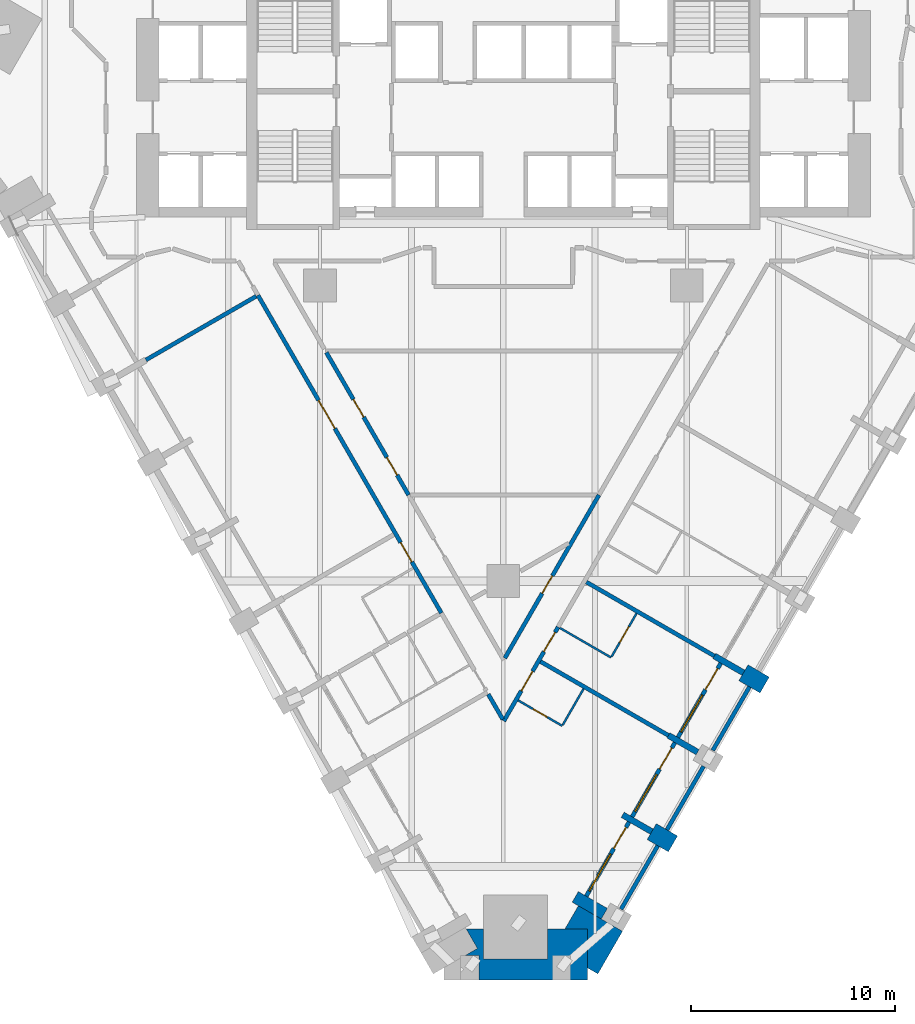
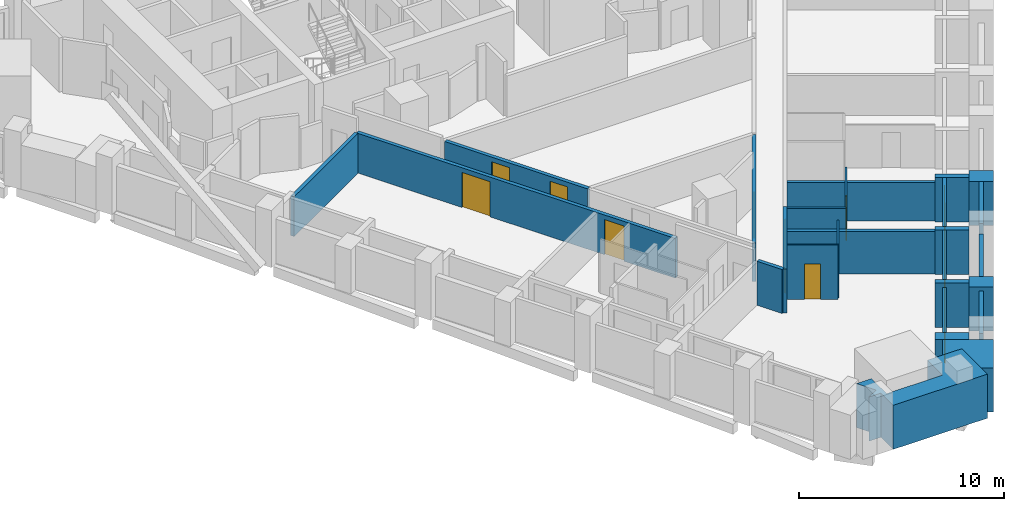
# One storey, part 4 of 11: 26 walls, 12 doors, 3 windows, 15 openings.
"""IFC4 building model written with IfcOpenShell, lengths in metres."""

from ifc_helpers import new_model, si_unit, direction, frame, frame_2d, origin, place, context, subcontext, project, spatial, polyline, rectangle, outline, extrude, material, layer, layer_set, type_object, element, fill, save


model = new_model("IFC4")

# Units and contexts
model_context = context("Model", 3, precision=1e-05, world=origin(), true_north=direction((0.0, 1.0)))
body_context = subcontext(model_context, "Body", "Model", "MODEL_VIEW")
ifc_project = project(units=[si_unit("LENGTHUNIT", "METRE"), si_unit("AREAUNIT", "SQUARE_METRE"), si_unit("VOLUMEUNIT", "CUBIC_METRE"), si_unit("PLANEANGLEUNIT", "RADIAN"), si_unit("MASSUNIT", "GRAM", prefix="KILO")], contexts=[model_context])

# Site, building, storey
site_placement = place(None, origin())
site = spatial("IfcSite", under=ifc_project, at=site_placement, CompositionType="ELEMENT")
building_placement = place(site_placement, origin())
building = spatial("IfcBuilding", under=site, at=building_placement, Name="Calabash Gate Tower", CompositionType="ELEMENT")
storey_placement = place(building_placement, frame((0.0, 0.0, 73.199951171875)))
storey = spatial("IfcBuildingStorey", under=building, at=storey_placement, Name="L14", CompositionType="ELEMENT", Elevation=73.199951171875)

# Walls
ifc_material_1 = material(Name="Terracotta brick masonry, exposed face", Category="masonry")
ifc_layer_1 = layer(ifc_material_1, 2.5)
ifc_layer_set_1 = layer_set([ifc_layer_1], Name="Brick corner mass wall 2500")
wall_type_1 = type_object("IfcWallType", Name="Brick corner mass wall 2500", PredefinedType="SOLIDWALL", material=ifc_layer_set_1)
wall_1_placement = place(storey_placement, origin())
element("IfcWall", 1, at=wall_1_placement, inside=storey, type_object=wall_type_1, Name="Brick corner pier S03 2bb", PredefinedType="SOLIDWALL", context=body_context, shape_type="SweptSolid", body=[
    extrude(outline(polyline([(-1.202880859375, -30.376953125), (-1.202880859375, -31.576904296875), (4.115478515625, -31.576904296875), (4.115478515625, -29.076904296875), (2.172119140625, -29.076904296875), (2.172119140625, -30.548095703125), (-0.97802734375, -30.548095703125), (-0.97802734375, -29.076904296875), (-1.8251953125, -29.076904296875), (-1.276611328125, -30.027099609375), (-1.8828125, -30.376953125), (-1.202880859375, -30.376953125)])), origin(), (0.0, 0.0, 1.0), 2.630126953125),
])
wall_2_placement = place(storey_placement, origin())
element("IfcWall", 2, at=wall_2_placement, inside=storey, type_object=wall_type_1, Name="Brick corner pier S03 2c", PredefinedType="SOLIDWALL", context=body_context, shape_type="SweptSolid", body=[
    extrude(outline(polyline([(5.843017578125, -29.184814453125), (3.677978515625, -27.934814453125), (3.0185546875, -29.076904296875), (4.115478515625, -29.076904296875), (4.115478515625, -30.97705078125), (4.635009765625, -31.277099609375), (5.843017578125, -29.184814453125)])), origin(), (0.0, 0.0, 1.0), 2.630126953125),
])
ifc_material_2 = material(Name="Terracotta brick masonry, exposed face", Category="masonry")
ifc_layer_2 = layer(ifc_material_2, 1.199951171875)
ifc_layer_set_2 = layer_set([ifc_layer_2], Name="Brick end wall 1200")
wall_type_2 = type_object("IfcWallType", Name="Brick end wall 1200", PredefinedType="SOLIDWALL", material=ifc_layer_set_2)
for number, where, z_axis, x_axis, name in (
    (3, (7.27880859375, -24.298095703125, 0.0), (0.0, 0.0, 1.0), (0.866043267704, -0.499969057507, 0.0), "Brick pier S03 SE2.1"),
    (4, (12.81787109375, -17.103759765625, 0.0), (0.0, 0.0, 1.0), (-0.866043267704, 0.499969057507, 0.0), "Brick pier S03 SE2.3"),
):
    element("IfcWall", number, at=place(storey_placement, frame(where, z_axis=z_axis, x_axis=x_axis)), inside=storey, type_object=wall_type_2, Name=name, PredefinedType="SOLIDWALL", context=body_context, shape_type="SweptSolid", body=[
        extrude(rectangle(XDim=1.19970703125, YDim=0.89990234375, at=frame_2d((0.599853515625, 0.0))), origin(), (0.0, 0.0, 1.0), 2.630126953125),
    ])
ifc_material_3 = material(Name="Terracotta brick masonry, exposed face", Category="masonry")
ifc_layer_3 = layer(ifc_material_3, 0.300048828125)
ifc_layer_set_3 = layer_set([ifc_layer_3], Name="Brick loggia cheek wall 300")
wall_type_3 = type_object("IfcWallType", Name="Brick loggia cheek wall 300", PredefinedType="SOLIDWALL", material=ifc_layer_set_3)
wall_3_placement = place(storey_placement, frame((4.95361328125, -28.324951171875, 0.0), z_axis=(0.0, 0.0, 1.0), x_axis=(-0.866040211805, 0.499974350878, 0.0)))
element("IfcWall", 5, at=wall_3_placement, inside=storey, type_object=wall_type_3, Name="Loggia cheek S03 SE2.0", PredefinedType="SOLIDWALL", context=body_context, shape_type="SweptSolid", body=[
    extrude(rectangle(XDim=1.64990234375, YDim=0.60009765625, at=frame_2d((0.824951171875, 0.0))), origin(), (0.0, 0.0, 1.0), 2.650146484375),
])
wall_4_placement = place(storey_placement, frame((7.27880859375, -24.298095703125, 0.0), z_axis=(0.0, 0.0, 1.0), x_axis=(-0.866040211805, 0.499974350878, 0.0)))
element("IfcWall", 6, at=wall_4_placement, inside=storey, type_object=wall_type_3, Name="Loggia cheek S03 SE2.1", PredefinedType="SOLIDWALL", context=body_context, shape_type="SweptSolid", body=[
    extrude(rectangle(XDim=1.64990234375, YDim=0.300048828125, at=frame_2d((0.824951171875, 0.0))), origin(), (0.0, 0.0, 1.0), 2.650146484375),
])
wall_5_placement = place(storey_placement, frame((9.528564453125, -20.40087890625, 0.0), z_axis=(0.0, 0.0, 1.0), x_axis=(-0.866003217194, 0.500038426333, 0.0)))
element("IfcWall", 7, at=wall_5_placement, inside=storey, type_object=wall_type_3, Name="Loggia cheek S03 SE2.2", PredefinedType="SOLIDWALL", context=body_context, shape_type="SweptSolid", body=[
    extrude(rectangle(XDim=1.649658203125, YDim=0.300048828125, at=frame_2d((0.82470703125, 0.0))), origin(), (0.0, 0.0, 1.0), 2.650146484375),
])
wall_6_placement = place(storey_placement, frame((11.77880859375, -16.50390625, 0.0), z_axis=(0.0, 0.0, 1.0), x_axis=(-0.865976140824, 0.500085316245, 0.0)))
element("IfcWall", 8, at=wall_6_placement, inside=storey, type_object=wall_type_3, Name="Loggia cheek S03 SE2.3", PredefinedType="SOLIDWALL", context=body_context, shape_type="SweptSolid", body=[
    extrude(rectangle(XDim=1.650146484375, YDim=0.300048828125, at=frame_2d((0.8251953125, 0.0))), origin(), (0.0, 0.0, 1.0), 2.650146484375),
])
ifc_material_4 = material(Name="Gypsum board on steel studs, mineral wool", Category="steel")
ifc_layer_4 = layer(ifc_material_4, 0.10009765625)
ifc_layer_set_4 = layer_set([ifc_layer_4], Name="Partition 100 gypsum board")
wall_type_4 = type_object("IfcWallType", Name="Partition 100 gypsum board", PredefinedType="PARTITIONING", material=ifc_layer_set_4)
wall_7_placement = place(storey_placement, frame((2.911376953125, -19.0634765625, 0.0), z_axis=(0.0, 0.0, 1.0), x_axis=(0.499265284884, 0.866449176415, 0.0)))
element("IfcWall", 9, at=wall_7_placement, inside=storey, type_object=wall_type_4, Name="Partition", PredefinedType="PARTITIONING", context=body_context, shape_type="SweptSolid", body=[
    extrude(rectangle(XDim=2.0498046875, YDim=0.10009765625, at=frame_2d((1.02490234375, 0.0))), origin(), (0.0, 0.0, 1.0), 3.22998046875),
])

# Wall, opening, door
wall_8_placement = place(storey_placement, frame((0.72119140625, -17.85693359375, 0.0), z_axis=(0.0, 0.0, 1.0), x_axis=(0.866022959057, -0.500004234368, 0.0)))
wall_8 = element("IfcWall", 10, at=wall_8_placement, inside=storey, type_object=wall_type_4, Name="Partition", PredefinedType="PARTITIONING", context=body_context, shape_type="SweptSolid", body=[
    extrude(rectangle(XDim=2.5, YDim=0.10009765625, at=frame_2d((1.25, 0.0))), origin(), (0.0, 0.0, 1.0), 3.22998046875),
])
opening_1_placement = place(wall_8_placement, frame((0.85009765625, 0.0, 0.0)))
opening_1 = element("IfcOpeningElement", 11, at=opening_1_placement, cuts=wall_8, Name="Opening 12-14-014", PredefinedType="OPENING", context=body_context, shape_type="SweptSolid", body=[
    extrude(rectangle(XDim=0.800048828125, YDim=2.10009765625, at=frame_2d((0.39990234375, 1.050048828125))), frame((0.0, 0.06005859375, 0.0), z_axis=(0.0, -1.0, 0.0), x_axis=(1.0, 0.0, 0.0)), (0.0, 0.0, 1.0), 0.1201171875),
])
ifc_material_5 = material(Name="Painted timber door", Category="wood")
door_type_1 = type_object("IfcDoorType", Name="GD5 En-suite door 800x2100", OperationType="NOTDEFINED", PredefinedType="DOOR", material=ifc_material_5)
door_1_placement = place(opening_1_placement, origin())
door_1 = element("IfcDoor", 12, at=door_1_placement, inside=storey, type_object=door_type_1, Name="En-suite door", OperationType="SINGLE_SWING_LEFT", OverallHeight=2.10009765625, OverallWidth=0.800048828125, PredefinedType="DOOR", context=body_context, shape_type="SweptSolid", body=[
    extrude(rectangle(XDim=0.800048828125, YDim=2.10009765625, at=frame_2d((0.39990234375, 1.050048828125))), frame((0.0, 0.02490234375, 0.0), z_axis=(0.0, -1.0, 0.0), x_axis=(1.0, 0.0, 0.0)), (0.0, 0.0, 1.0), 0.050048828125),
])
fill(opening_1, door_1)

wall_9_placement = place(storey_placement, frame((5.3076171875, -15.712158203125, 0.0), z_axis=(0.0, 0.0, 1.0), x_axis=(0.500018594424, 0.866014668023, 0.0)))
wall_9 = element("IfcWall", 13, at=wall_9_placement, inside=storey, type_object=wall_type_4, Name="Partition", PredefinedType="PARTITIONING", context=body_context, shape_type="SweptSolid", body=[
    extrude(rectangle(XDim=2.4501953125, YDim=0.10009765625, at=frame_2d((1.22509765625, 0.0))), origin(), (0.0, 0.0, 1.0), 3.22998046875),
])
opening_2_placement = place(wall_9_placement, frame((0.800048828125, 0.0, 0.0)))
opening_2 = element("IfcOpeningElement", 14, at=opening_2_placement, cuts=wall_9, Name="Opening 12-14-005", PredefinedType="OPENING", context=body_context, shape_type="SweptSolid", body=[
    extrude(rectangle(XDim=0.89990234375, YDim=2.10009765625, at=frame_2d((0.449951171875, 1.050048828125))), frame((0.0, 0.06005859375, 0.0), z_axis=(0.0, -1.0, 0.0), x_axis=(1.0, 0.0, 0.0)), (0.0, 0.0, 1.0), 0.1201171875),
])
ifc_material_6 = material(Name="Painted timber door", Category="wood")
door_type_2 = type_object("IfcDoorType", Name="GD6 Accessible en-suite door 900x2100", OperationType="NOTDEFINED", PredefinedType="DOOR", material=ifc_material_6)
door_2_placement = place(opening_2_placement, origin())
door_2 = element("IfcDoor", 15, at=door_2_placement, inside=storey, type_object=door_type_2, Name="Accessible en-suite door", OperationType="SINGLE_SWING_LEFT", OverallHeight=2.10009765625, OverallWidth=0.89990234375, PredefinedType="DOOR", context=body_context, shape_type="SweptSolid", body=[
    extrude(rectangle(XDim=0.89990234375, YDim=2.10009765625, at=frame_2d((0.449951171875, 1.050048828125))), frame((0.0, 0.02490234375, 0.0), z_axis=(0.0, -1.0, 0.0), x_axis=(1.0, 0.0, 0.0)), (0.0, 0.0, 1.0), 0.050048828125),
])
fill(opening_2, door_2)

# Wall
wall_10_placement = place(storey_placement, frame((2.772216796875, -14.30419921875, 0.0), z_axis=(0.0, 0.0, 1.0), x_axis=(0.865729701078, -0.500511822708, 0.0)))
element("IfcWall", 16, at=wall_10_placement, inside=storey, type_object=wall_type_4, Name="Partition", PredefinedType="PARTITIONING", context=body_context, shape_type="SweptSolid", body=[
    extrude(rectangle(XDim=2.89990234375, YDim=0.10009765625, at=frame_2d((1.449951171875, 0.0))), origin(), (0.0, 0.0, 1.0), 2.552001953125),
])

# Wall, openings, doors
ifc_material_7 = material(Name="Gypsum board on steel studs, mineral wool", Category="steel")
ifc_layer_5 = layer(ifc_material_7, 0.199951171875)
ifc_layer_set_5 = layer_set([ifc_layer_5], Name="Partition 200 gypsum board EI 60")
wall_type_5 = type_object("IfcWallType", Name="Partition 200 gypsum board EI 60", PredefinedType="PARTITIONING", material=ifc_layer_set_5)
wall_11_placement = place(storey_placement, frame((0.01953125, -18.8720703125, 0.0), z_axis=(0.0, 0.0, 1.0), x_axis=(0.500389767685, 0.865800254329, 0.0)))
wall_11 = element("IfcWall", 17, at=wall_11_placement, inside=storey, type_object=wall_type_5, Name="Partition", PredefinedType="PARTITIONING", context=body_context, shape_type="SweptSolid", body=[
    extrude(rectangle(XDim=5.330322265625, YDim=0.199951171875, at=frame_2d((2.6650390625, 0.0))), origin(), (0.0, 0.0, 1.0), 2.6279296875),
])
opening_3_placement = place(wall_11_placement, frame((3.9306640625, 0.0, 0.0)))
opening_3 = element("IfcOpeningElement", 18, at=opening_3_placement, cuts=wall_11, Name="Opening 12-14-004", PredefinedType="OPENING", context=body_context, shape_type="SweptSolid", body=[
    extrude(rectangle(XDim=1.10009765625, YDim=2.10009765625, at=frame_2d((0.550048828125, 1.050048828125))), frame((0.0, 0.10986328125, 0.0), z_axis=(0.0, -1.0, 0.0), x_axis=(1.0, 0.0, 0.0)), (0.0, 0.0, 1.0), 0.219970703125),
])
opening_4_placement = place(wall_11_placement, frame((1.715087890625, 0.0, 0.0)))
opening_4 = element("IfcOpeningElement", 19, at=opening_4_placement, cuts=wall_11, Name="Opening 12-14-024", PredefinedType="OPENING", context=body_context, shape_type="SweptSolid", body=[
    extrude(rectangle(XDim=1.10009765625, YDim=2.10009765625, at=frame_2d((0.550048828125, 1.050048828125))), frame((0.0, 0.10986328125, 0.0), z_axis=(0.0, -1.0, 0.0), x_axis=(1.0, 0.0, 0.0)), (0.0, 0.0, 1.0), 0.219970703125),
])
ifc_material_8 = material(Name="Steel fire door set with fire-resisting glazing", Category="steel")
door_type_3 = type_object("IfcDoorType", Name="GD2 Accessible guest room entrance door 1100x2100", OperationType="NOTDEFINED", PredefinedType="DOOR", material=ifc_material_8)
door_3_placement = place(opening_3_placement, origin())
door_3 = element("IfcDoor", 20, at=door_3_placement, inside=storey, type_object=door_type_3, Name="Accessible guest room entrance door", OperationType="SINGLE_SWING_RIGHT", OverallHeight=2.10009765625, OverallWidth=1.10009765625, PredefinedType="DOOR", context=body_context, shape_type="SweptSolid", body=[
    extrude(rectangle(XDim=1.10009765625, YDim=2.10009765625, at=frame_2d((0.550048828125, 1.050048828125))), frame((0.0, 0.02490234375, 0.0), z_axis=(0.0, -1.0, 0.0), x_axis=(1.0, 0.0, 0.0)), (0.0, 0.0, 1.0), 0.050048828125),
])
fill(opening_3, door_3)
ifc_material_9 = material(Name="Steel fire door set with fire-resisting glazing", Category="steel")
door_type_4 = type_object("IfcDoorType", Name="GD3 Suite entrance door 1100x2100", OperationType="NOTDEFINED", PredefinedType="DOOR", material=ifc_material_9)
door_4_placement = place(opening_4_placement, origin())
door_4 = element("IfcDoor", 21, at=door_4_placement, inside=storey, type_object=door_type_4, Name="Suite entrance door", OperationType="SINGLE_SWING_RIGHT", OverallHeight=2.10009765625, OverallWidth=1.10009765625, PredefinedType="DOOR", context=body_context, shape_type="SweptSolid", body=[
    extrude(rectangle(XDim=1.10009765625, YDim=2.10009765625, at=frame_2d((0.550048828125, 1.050048828125))), frame((0.0, 0.02490234375, 0.0), z_axis=(0.0, -1.0, 0.0), x_axis=(1.0, 0.0, 0.0)), (0.0, 0.0, 1.0), 0.050048828125),
])
fill(opening_4, door_4)

# Walls
wall_12_placement = place(storey_placement, frame((-0.742919921875, -17.55517578125, 0.0), z_axis=(0.0, 0.0, 1.0), x_axis=(0.501049807784, -0.865418447989, 0.0)))
element("IfcWall", 22, at=wall_12_placement, inside=storey, type_object=wall_type_5, Name="Partition", PredefinedType="PARTITIONING", context=body_context, shape_type="SweptSolid", body=[
    extrude(rectangle(XDim=1.421875, YDim=0.199951171875, at=frame_2d((0.7109375, 0.0))), origin(), (0.0, 0.0, 1.0), 2.6279296875),
])
wall_13_placement = place(storey_placement, frame((1.82177734375, -15.95361328125, 0.0), z_axis=(0.0, 0.0, 1.0), x_axis=(0.866029090493, -0.499993614378, 0.0)))
element("IfcWall", 23, at=wall_13_placement, inside=storey, type_object=wall_type_5, Name="Partition", PredefinedType="PARTITIONING", context=body_context, shape_type="SweptSolid", body=[
    extrude(rectangle(XDim=7.248046875, YDim=0.199951171875, at=frame_2d((3.6240234375, 0.0))), origin(), (0.0, 0.0, 1.0), 2.552001953125),
])

# Wall, opening, door
wall_14_placement = place(storey_placement, frame((0.0693359375, -15.78466796875, 0.0), z_axis=(0.0, 0.0, 1.0), x_axis=(0.499998459685, 0.866026293084, 0.0)))
wall_14 = element("IfcWall", 24, at=wall_14_placement, inside=storey, type_object=wall_type_5, Name="Partition", PredefinedType="PARTITIONING", context=body_context, shape_type="SweptSolid", body=[
    extrude(rectangle(XDim=9.2392578125, YDim=0.199951171875, at=frame_2d((4.61962890625, 0.0))), origin(), (0.0, 0.0, 1.0), 2.302490234375),
])
opening_5_placement = place(wall_14_placement, frame((3.6630859375, 0.0, 0.0)))
opening_5 = element("IfcOpeningElement", 25, at=opening_5_placement, cuts=wall_14, Name="Opening 12-14-012", PredefinedType="OPENING", context=body_context, shape_type="SweptSolid", body=[
    extrude(rectangle(XDim=1.0, YDim=2.10009765625, at=frame_2d((0.5, 1.050048828125))), frame((0.0, 0.10986328125, 0.0), z_axis=(0.0, -1.0, 0.0), x_axis=(1.0, 0.0, 0.0)), (0.0, 0.0, 1.0), 0.219970703125),
])
ifc_material_10 = material(Name="Steel fire door set with fire-resisting glazing", Category="steel")
door_type_5 = type_object("IfcDoorType", Name="LD2 Meeting room door 1000x2100", OperationType="NOTDEFINED", PredefinedType="DOOR", material=ifc_material_10)
door_5_placement = place(opening_5_placement, origin())
door_5 = element("IfcDoor", 26, at=door_5_placement, inside=storey, type_object=door_type_5, Name="Meeting room door", OperationType="SINGLE_SWING_LEFT", OverallHeight=2.10009765625, OverallWidth=1.0, PredefinedType="DOOR", context=body_context, shape_type="SweptSolid", body=[
    extrude(rectangle(XDim=1.0, YDim=2.10009765625, at=frame_2d((0.5, 1.050048828125))), frame((0.0, 0.02490234375, 0.0), z_axis=(0.0, -1.0, 0.0), x_axis=(1.0, 0.0, 0.0)), (0.0, 0.0, 1.0), 0.050048828125),
])
fill(opening_5, door_5)

# Wall, openings, doors
wall_15_placement = place(storey_placement, frame((-12.043212890625, 2.017333984375, 0.0), z_axis=(0.0, 0.0, 1.0), x_axis=(0.5000018851, -0.866024315419, 0.0)))
wall_15 = element("IfcWall", 27, at=wall_15_placement, inside=storey, type_object=wall_type_5, Name="Partition", PredefinedType="PARTITIONING", context=body_context, shape_type="SweptSolid", body=[
    extrude(rectangle(XDim=18.0, YDim=0.199951171875, at=frame_2d((9.0, 0.0))), origin(), (0.0, 0.0, 1.0), 2.3740234375),
])
opening_6_placement = place(wall_15_placement, frame((5.949951171875, 0.0, 0.0)))
opening_6 = element("IfcOpeningElement", 28, at=opening_6_placement, cuts=wall_15, Name="Opening 12-14-001", PredefinedType="OPENING", context=body_context, shape_type="SweptSolid", body=[
    extrude(rectangle(XDim=1.60009765625, YDim=2.10009765625, at=frame_2d((0.800048828125, 1.050048828125))), frame((0.0, 0.10986328125, 0.0), z_axis=(0.0, -1.0, 0.0), x_axis=(1.0, 0.0, 0.0)), (0.0, 0.0, 1.0), 0.219970703125),
])
opening_7_placement = place(wall_15_placement, frame((14.0, 0.0, 0.0)))
opening_7 = element("IfcOpeningElement", 29, at=opening_7_placement, cuts=wall_15, Name="Opening 12-14-002", PredefinedType="OPENING", context=body_context, shape_type="SweptSolid", body=[
    extrude(rectangle(XDim=1.10009765625, YDim=2.10009765625, at=frame_2d((0.550048828125, 1.050048828125))), frame((0.0, 0.10986328125, 0.0), z_axis=(0.0, -1.0, 0.0), x_axis=(1.0, 0.0, 0.0)), (0.0, 0.0, 1.0), 0.219970703125),
])
door_6_placement = place(opening_7_placement, origin())
door_6 = element("IfcDoor", 30, at=door_6_placement, inside=storey, type_object=door_type_3, Name="Accessible guest room entrance door", OperationType="SINGLE_SWING_RIGHT", OverallHeight=2.10009765625, OverallWidth=1.10009765625, PredefinedType="DOOR", context=body_context, shape_type="SweptSolid", body=[
    extrude(rectangle(XDim=1.10009765625, YDim=2.10009765625, at=frame_2d((0.550048828125, 1.050048828125))), frame((0.0, 0.02490234375, 0.0), z_axis=(0.0, -1.0, 0.0), x_axis=(1.0, 0.0, 0.0)), (0.0, 0.0, 1.0), 0.050048828125),
])
fill(opening_7, door_6)
ifc_material_11 = material(Name="Steel fire door set with fire-resisting glazing", Category="steel")
door_type_6 = type_object("IfcDoorType", Name="LD1 Lounge double door 1600x2100", OperationType="NOTDEFINED", PredefinedType="DOOR", material=ifc_material_11)
door_7_placement = place(opening_6_placement, origin())
door_7 = element("IfcDoor", 31, at=door_7_placement, inside=storey, type_object=door_type_6, Name="Lounge double door", OperationType="DOUBLE_DOOR_SINGLE_SWING", OverallHeight=2.10009765625, OverallWidth=1.60009765625, PredefinedType="DOOR", context=body_context, shape_type="SweptSolid", body=[
    extrude(rectangle(XDim=1.60009765625, YDim=2.10009765625, at=frame_2d((0.800048828125, 1.050048828125))), frame((0.0, 0.02490234375, 0.0), z_axis=(0.0, -1.0, 0.0), x_axis=(1.0, 0.0, 0.0)), (0.0, 0.0, 1.0), 0.050048828125),
])
fill(opening_6, door_7)

# Walls
wall_16_placement = place(storey_placement, frame((4.072265625, -12.05224609375, 0.0), z_axis=(0.0, 0.0, 1.0), x_axis=(0.865900080757, -0.500217003055, 0.0)))
element("IfcWall", 32, at=wall_16_placement, inside=storey, type_object=wall_type_5, Name="Partition", PredefinedType="PARTITIONING", context=body_context, shape_type="SweptSolid", body=[
    extrude(rectangle(XDim=7.249755859375, YDim=0.199951171875, at=frame_2d((3.625, 0.0))), origin(), (0.0, 0.0, 1.0), 2.302490234375),
])
wall_17_placement = place(storey_placement, frame((-17.541015625, -1.15625, 0.0), z_axis=(0.0, 0.0, 1.0), x_axis=(0.865906436394, 0.500206000974, 0.0)))
element("IfcWall", 33, at=wall_17_placement, inside=storey, type_object=wall_type_5, Name="Partition", PredefinedType="PARTITIONING", context=body_context, shape_type="SweptSolid", body=[
    extrude(rectangle(XDim=6.249267578125, YDim=0.199951171875, at=frame_2d((3.12451171875, 0.0))), origin(), (0.0, 0.0, 1.0), 2.384033203125),
])

# Wall, openings, doors
wall_18_placement = place(storey_placement, frame((-8.685791015625, -0.790283203125, 0.0), z_axis=(0.0, 0.0, 1.0), x_axis=(0.499814962183, -0.866132209064, 0.0)))
wall_18 = element("IfcWall", 34, at=wall_18_placement, inside=storey, type_object=wall_type_5, Name="Partition", PredefinedType="PARTITIONING", context=body_context, shape_type="SweptSolid", body=[
    extrude(rectangle(XDim=8.072265625, YDim=0.199951171875, at=frame_2d((4.0361328125, 0.0))), origin(), (0.0, 0.0, 1.0), 2.384033203125),
])
opening_8_placement = place(wall_18_placement, frame((5.93896484375, 0.0, 0.0)))
opening_8 = element("IfcOpeningElement", 35, at=opening_8_placement, cuts=wall_18, Name="Opening 12-14-011", PredefinedType="OPENING", context=body_context, shape_type="SweptSolid", body=[
    extrude(rectangle(XDim=1.0, YDim=2.10009765625, at=frame_2d((0.5, 1.050048828125))), frame((0.0, 0.10986328125, 0.0), z_axis=(0.0, -1.0, 0.0), x_axis=(1.0, 0.0, 0.0)), (0.0, 0.0, 1.0), 0.219970703125),
])
opening_9_placement = place(wall_18_placement, frame((2.65673828125, 0.0, 0.0)))
opening_9 = element("IfcOpeningElement", 36, at=opening_9_placement, cuts=wall_18, Name="Opening 12-14-026", PredefinedType="OPENING", context=body_context, shape_type="SweptSolid", body=[
    extrude(rectangle(XDim=1.0, YDim=2.10009765625, at=frame_2d((0.5, 1.050048828125))), frame((0.0, 0.10986328125, 0.0), z_axis=(0.0, -1.0, 0.0), x_axis=(1.0, 0.0, 0.0)), (0.0, 0.0, 1.0), 0.219970703125),
])
door_8_placement = place(opening_8_placement, origin())
door_8 = element("IfcDoor", 37, at=door_8_placement, inside=storey, type_object=door_type_5, Name="Meeting room door", OperationType="SINGLE_SWING_RIGHT", OverallHeight=2.10009765625, OverallWidth=1.0, PredefinedType="DOOR", context=body_context, shape_type="SweptSolid", body=[
    extrude(rectangle(XDim=1.0, YDim=2.10009765625, at=frame_2d((0.5, 1.050048828125))), frame((0.0, 0.02490234375, 0.0), z_axis=(0.0, -1.0, 0.0), x_axis=(1.0, 0.0, 0.0)), (0.0, 0.0, 1.0), 0.050048828125),
])
fill(opening_8, door_8)
door_9_placement = place(opening_9_placement, origin())
door_9 = element("IfcDoor", 38, at=door_9_placement, inside=storey, type_object=door_type_5, Name="Meeting room door", OperationType="SINGLE_SWING_LEFT", OverallHeight=2.10009765625, OverallWidth=1.0, PredefinedType="DOOR", context=body_context, shape_type="SweptSolid", body=[
    extrude(rectangle(XDim=1.0, YDim=2.10009765625, at=frame_2d((0.5, 1.050048828125))), frame((0.0, 0.02490234375, 0.0), z_axis=(0.0, -1.0, 0.0), x_axis=(1.0, 0.0, 0.0)), (0.0, 0.0, 1.0), 0.050048828125),
])
fill(opening_9, door_9)

# Walls
ifc_material_12 = material(Name="Terracotta brick masonry, perforated", Category="masonry")
ifc_layer_6 = layer(ifc_material_12, 0.199951171875)
ifc_layer_set_6 = layer_set([ifc_layer_6], Name="Terracotta jaali screen A")
wall_type_6 = type_object("IfcWallType", Name="Terracotta jaali screen A", PredefinedType="SOLIDWALL", material=ifc_layer_set_6)
wall_19_placement = place(storey_placement, origin())
element("IfcWall", 39, at=wall_19_placement, inside=storey, type_object=wall_type_6, Name="SCREEN A S03 SE2.1", PredefinedType="SOLIDWALL", context=body_context, shape_type="SweptSolid", body=[
    extrude(outline(polyline([(7.48681640625, -24.937744140625), (5.6875, -28.053955078125), (5.86083984375, -28.154052734375), (7.659912109375, -25.037841796875), (7.48681640625, -24.937744140625)])), origin(), (0.0, 0.0, 1.0), 2.3740234375),
])
for number, where, z_axis, x_axis, name in (
    (40, (8.0234375, -24.208251953125, 0.0), (0.0, 0.0, 1.0), (0.499961193289, 0.866047807691, 0.0), "SCREEN A S03 SE2.2"),
    (41, (10.2734375, -20.311279296875, 0.0), (0.0, 0.0, 1.0), (0.499961193289, 0.866047807691, 0.0), "SCREEN A S03 SE2.3"),
):
    element("IfcWall", number, at=place(storey_placement, frame(where, z_axis=z_axis, x_axis=x_axis)), inside=storey, type_object=wall_type_6, Name=name, PredefinedType="SOLIDWALL", context=body_context, shape_type="SweptSolid", body=[
        extrude(rectangle(XDim=3.599853515625, YDim=0.199951171875, at=frame_2d((1.7998046875, 0.0))), origin(), (0.0, 0.0, 1.0), 2.630126953125),
    ])

# Wall, openings, door, window
ifc_material_13 = material(Name="Aluminium framed window wall with insulated spandrel", Category="aluminium")
ifc_layer_7 = layer(ifc_material_13, 0.199951171875)
ifc_layer_set_7 = layer_set([ifc_layer_7], Name="Window wall 200")
wall_type_7 = type_object("IfcWallType", Name="Window wall 200", PredefinedType="ELEMENTEDWALL", material=ifc_layer_set_7)
wall_20_placement = place(storey_placement, frame((4.064453125, -27.46533203125, 0.0), z_axis=(0.0, 0.0, 1.0), x_axis=(0.500002543286, 0.866023935413, 0.0)))
wall_20 = element("IfcWall", 42, at=wall_20_placement, inside=storey, type_object=wall_type_7, Name="Window wall S03 SE2.1", PredefinedType="ELEMENTEDWALL", context=body_context, shape_type="SweptSolid", body=[
    extrude(rectangle(XDim=4.2001953125, YDim=0.199951171875, at=frame_2d((2.10009765625, 0.0))), origin(), (0.0, 0.0, 1.0), 2.3740234375),
])
opening_10_placement = place(wall_20_placement, frame((0.300048828125, 0.0, 0.60009765625)))
opening_10 = element("IfcOpeningElement", 43, at=opening_10_placement, cuts=wall_20, Name="Opening HW1L-1670", PredefinedType="OPENING", context=body_context, shape_type="SweptSolid", body=[
    extrude(rectangle(XDim=2.10009765625, YDim=1.669921875, at=frame_2d((1.050048828125, 0.8349609375))), frame((0.0, 0.10986328125, 0.0), z_axis=(0.0, -1.0, 0.0), x_axis=(1.0, 0.0, 0.0)), (0.0, 0.0, 1.0), 0.219970703125),
])
opening_11_placement = place(wall_20_placement, frame((2.699951171875, 0.0, 0.0)))
opening_11 = element("IfcOpeningElement", 44, at=opening_11_placement, cuts=wall_20, Name="Opening H3-020", PredefinedType="OPENING", context=body_context, shape_type="SweptSolid", body=[
    extrude(rectangle(XDim=1.199951171875, YDim=2.27001953125, at=frame_2d((0.60009765625, 1.135009765625))), frame((0.0, 0.10986328125, 0.0), z_axis=(0.0, -1.0, 0.0), x_axis=(1.0, 0.0, 0.0)), (0.0, 0.0, 1.0), 0.219970703125),
])
ifc_material_14 = material(Name="Anodised aluminium frame, bronze finish, impact-rated laminated clear glazing", Category="aluminium")
door_type_7 = type_object("IfcDoorType", Name="Loggia door DH1L-2270 1200x2270", OperationType="SLIDING_TO_LEFT", PredefinedType="DOOR", material=ifc_material_14)
door_10_placement = place(opening_11_placement, origin())
door_10 = element("IfcDoor", 45, at=door_10_placement, inside=storey, type_object=door_type_7, Name="Loggia door S03 SE2.1", OperationType="SINGLE_SWING_LEFT", OverallHeight=2.27001953125, OverallWidth=1.199951171875, PredefinedType="DOOR", context=body_context, shape_type="SweptSolid", body=[
    extrude(rectangle(XDim=1.199951171875, YDim=2.27001953125, at=frame_2d((0.60009765625, 1.135009765625))), frame((0.0, 0.02490234375, 0.0), z_axis=(0.0, -1.0, 0.0), x_axis=(1.0, 0.0, 0.0)), (0.0, 0.0, 1.0), 0.050048828125),
])
fill(opening_11, door_10)
ifc_material_15 = material(Name="Anodised aluminium frame, bronze finish, impact-rated laminated clear glazing", Category="aluminium")
window_type_1 = type_object("IfcWindowType", Name="Window HW1L 2100x1670", PartitioningType="DOUBLE_PANEL_VERTICAL", PredefinedType="WINDOW", material=ifc_material_15)
window_1_placement = place(opening_10_placement, origin())
window_1 = element("IfcWindow", 46, at=window_1_placement, inside=storey, type_object=window_type_1, Name="Window HW1 S03 SE2.1", OverallHeight=1.669921875, OverallWidth=2.10009765625, PartitioningType="SINGLE_PANEL", PredefinedType="WINDOW", context=body_context, shape_type="SweptSolid", body=[
    extrude(rectangle(XDim=2.10009765625, YDim=1.669921875, at=frame_2d((1.050048828125, 0.8349609375))), frame((0.0, 0.030029296875, 0.0), z_axis=(0.0, -1.0, 0.0), x_axis=(1.0, 0.0, 0.0)), (0.0, 0.0, 1.0), 0.06005859375),
])
fill(opening_10, window_1)

wall_21_placement = place(storey_placement, frame((6.314453125, -23.568115234375, 0.0), z_axis=(0.0, 0.0, 1.0), x_axis=(0.500027713859, 0.866009402589, 0.0)))
wall_21 = element("IfcWall", 47, at=wall_21_placement, inside=storey, type_object=wall_type_7, Name="Window wall S03 SE2.2", PredefinedType="ELEMENTEDWALL", context=body_context, shape_type="SweptSolid", body=[
    extrude(rectangle(XDim=4.199951171875, YDim=0.199951171875, at=frame_2d((2.10009765625, 0.0))), origin(), (0.0, 0.0, 1.0), 2.650146484375),
])
opening_12_placement = place(wall_21_placement, frame((0.300048828125, 0.0, 0.60009765625)))
opening_12 = element("IfcOpeningElement", 48, at=opening_12_placement, cuts=wall_21, Name="Opening HW1", PredefinedType="OPENING", context=body_context, shape_type="SweptSolid", body=[
    extrude(rectangle(XDim=2.10009765625, YDim=1.800048828125, at=frame_2d((1.050048828125, 0.89990234375))), frame((0.0, 0.10986328125, 0.0), z_axis=(0.0, -1.0, 0.0), x_axis=(1.0, 0.0, 0.0)), (0.0, 0.0, 1.0), 0.219970703125),
])
opening_13_placement = place(wall_21_placement, frame((2.699951171875, 0.0, 0.0)))
opening_13 = element("IfcOpeningElement", 49, at=opening_13_placement, cuts=wall_21, Name="Opening H3-021", PredefinedType="OPENING", context=body_context, shape_type="SweptSolid", body=[
    extrude(rectangle(XDim=1.199951171875, YDim=2.39990234375, at=frame_2d((0.60009765625, 1.199951171875))), frame((0.0, 0.10986328125, 0.0), z_axis=(0.0, -1.0, 0.0), x_axis=(1.0, 0.0, 0.0)), (0.0, 0.0, 1.0), 0.219970703125),
])
ifc_material_16 = material(Name="Anodised aluminium frame, bronze finish, impact-rated laminated clear glazing", Category="aluminium")
door_type_8 = type_object("IfcDoorType", Name="Loggia door DH1 1200x2400", OperationType="SLIDING_TO_LEFT", PredefinedType="DOOR", material=ifc_material_16)
door_11_placement = place(opening_13_placement, origin())
door_11 = element("IfcDoor", 50, at=door_11_placement, inside=storey, type_object=door_type_8, Name="Loggia door S03 SE2.2", OperationType="SINGLE_SWING_LEFT", OverallHeight=2.39990234375, OverallWidth=1.199951171875, PredefinedType="DOOR", context=body_context, shape_type="SweptSolid", body=[
    extrude(rectangle(XDim=1.199951171875, YDim=2.39990234375, at=frame_2d((0.60009765625, 1.199951171875))), frame((0.0, 0.02490234375, 0.0), z_axis=(0.0, -1.0, 0.0), x_axis=(1.0, 0.0, 0.0)), (0.0, 0.0, 1.0), 0.050048828125),
])
fill(opening_13, door_11)
ifc_material_17 = material(Name="Anodised aluminium frame, bronze finish, impact-rated laminated clear glazing", Category="aluminium")
window_type_2 = type_object("IfcWindowType", Name="Window HW1 2100x1800", PartitioningType="DOUBLE_PANEL_VERTICAL", PredefinedType="WINDOW", material=ifc_material_17)
window_2_placement = place(opening_12_placement, origin())
window_2 = element("IfcWindow", 51, at=window_2_placement, inside=storey, type_object=window_type_2, Name="Window HW1 S03 SE2.2", OverallHeight=1.800048828125, OverallWidth=2.10009765625, PartitioningType="SINGLE_PANEL", PredefinedType="WINDOW", context=body_context, shape_type="SweptSolid", body=[
    extrude(rectangle(XDim=2.10009765625, YDim=1.800048828125, at=frame_2d((1.050048828125, 0.89990234375))), frame((0.0, 0.030029296875, 0.0), z_axis=(0.0, -1.0, 0.0), x_axis=(1.0, 0.0, 0.0)), (0.0, 0.0, 1.0), 0.06005859375),
])
fill(opening_12, window_2)

wall_22_placement = place(storey_placement, frame((8.564453125, -19.6708984375, 0.0), z_axis=(0.0, 0.0, 1.0), x_axis=(0.500027713859, 0.866009402589, 0.0)))
wall_22 = element("IfcWall", 52, at=wall_22_placement, inside=storey, type_object=wall_type_7, Name="Window wall S03 SE2.3", PredefinedType="ELEMENTEDWALL", context=body_context, shape_type="SweptSolid", body=[
    extrude(rectangle(XDim=4.199951171875, YDim=0.199951171875, at=frame_2d((2.10009765625, 0.0))), origin(), (0.0, 0.0, 1.0), 2.650146484375),
])
opening_14_placement = place(wall_22_placement, frame((0.300048828125, 0.0, 0.60009765625)))
opening_14 = element("IfcOpeningElement", 53, at=opening_14_placement, cuts=wall_22, Name="Opening HW1", PredefinedType="OPENING", context=body_context, shape_type="SweptSolid", body=[
    extrude(rectangle(XDim=2.10009765625, YDim=1.800048828125, at=frame_2d((1.050048828125, 0.89990234375))), frame((0.0, 0.10986328125, 0.0), z_axis=(0.0, -1.0, 0.0), x_axis=(1.0, 0.0, 0.0)), (0.0, 0.0, 1.0), 0.219970703125),
])
opening_15_placement = place(wall_22_placement, frame((2.699951171875, 0.0, 0.0)))
opening_15 = element("IfcOpeningElement", 54, at=opening_15_placement, cuts=wall_22, Name="Opening H3-022", PredefinedType="OPENING", context=body_context, shape_type="SweptSolid", body=[
    extrude(rectangle(XDim=1.199951171875, YDim=2.39990234375, at=frame_2d((0.60009765625, 1.199951171875))), frame((0.0, 0.10986328125, 0.0), z_axis=(0.0, -1.0, 0.0), x_axis=(1.0, 0.0, 0.0)), (0.0, 0.0, 1.0), 0.219970703125),
])
door_12_placement = place(opening_15_placement, origin())
door_12 = element("IfcDoor", 55, at=door_12_placement, inside=storey, type_object=door_type_8, Name="Loggia door S03 SE2.3", OperationType="SINGLE_SWING_LEFT", OverallHeight=2.39990234375, OverallWidth=1.199951171875, PredefinedType="DOOR", context=body_context, shape_type="SweptSolid", body=[
    extrude(rectangle(XDim=1.199951171875, YDim=2.39990234375, at=frame_2d((0.60009765625, 1.199951171875))), frame((0.0, 0.02490234375, 0.0), z_axis=(0.0, -1.0, 0.0), x_axis=(1.0, 0.0, 0.0)), (0.0, 0.0, 1.0), 0.050048828125),
])
fill(opening_15, door_12)
window_3_placement = place(opening_14_placement, origin())
window_3 = element("IfcWindow", 56, at=window_3_placement, inside=storey, type_object=window_type_2, Name="Window HW1 S03 SE2.3", OverallHeight=1.800048828125, OverallWidth=2.10009765625, PartitioningType="SINGLE_PANEL", PredefinedType="WINDOW", context=body_context, shape_type="SweptSolid", body=[
    extrude(rectangle(XDim=2.10009765625, YDim=1.800048828125, at=frame_2d((1.050048828125, 0.89990234375))), frame((0.0, 0.030029296875, 0.0), z_axis=(0.0, -1.0, 0.0), x_axis=(1.0, 0.0, 0.0)), (0.0, 0.0, 1.0), 0.06005859375),
])
fill(opening_14, window_3)

save(model, "model.ifc")
